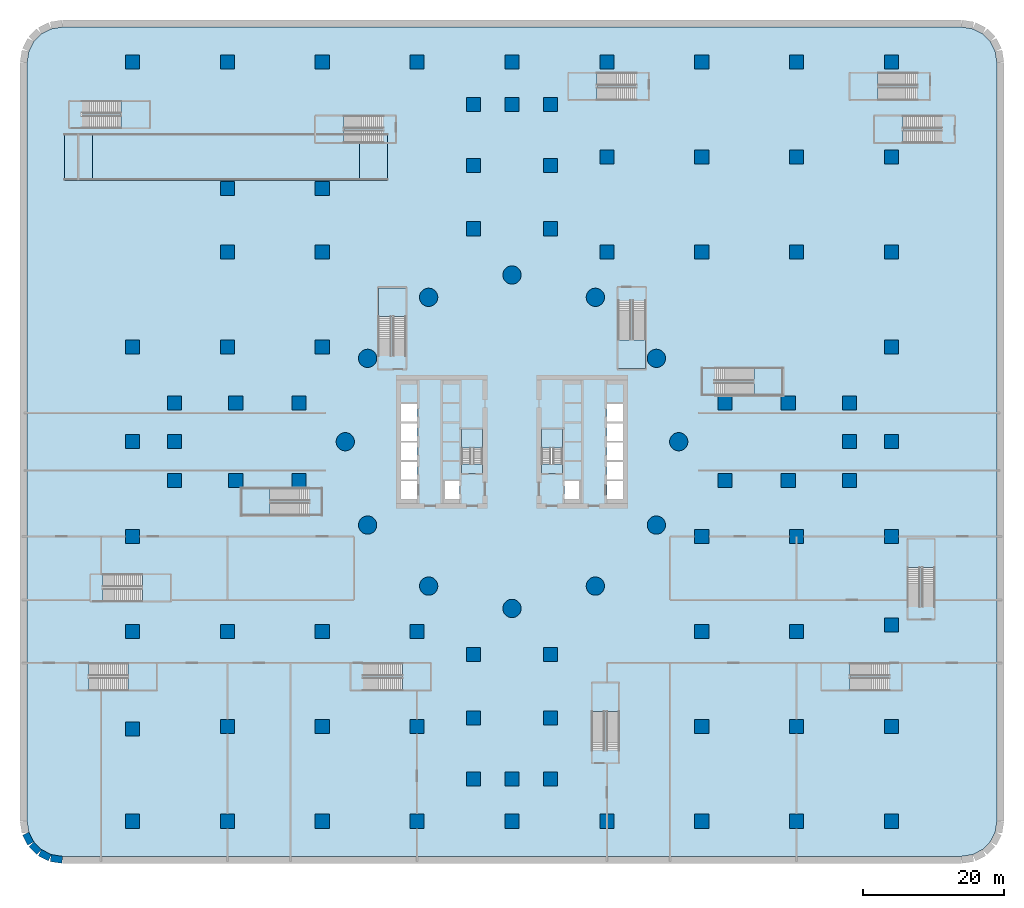
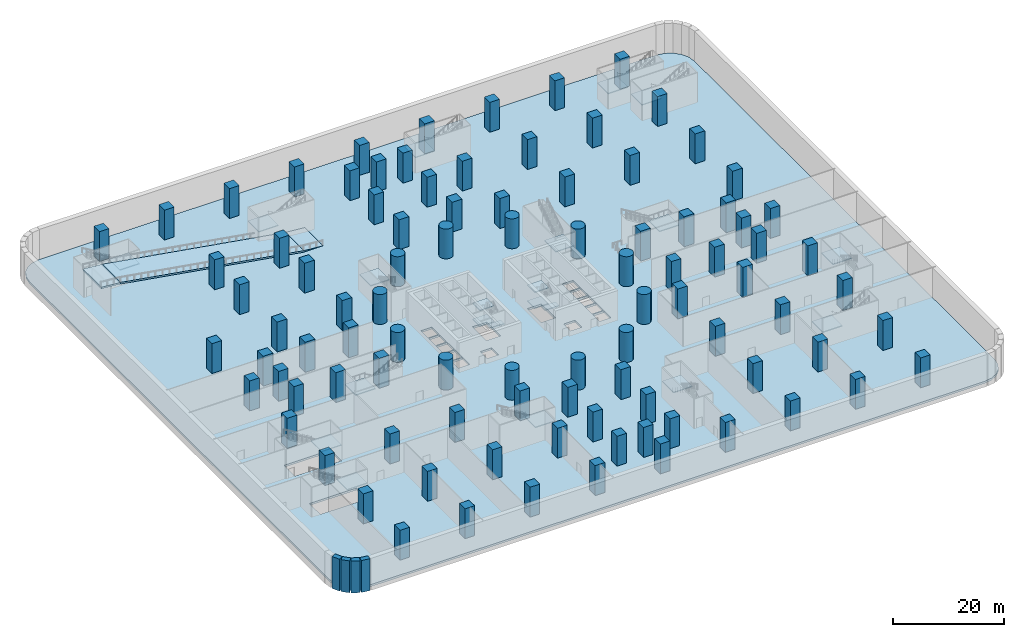
# One storey, part 1 of 30: 94 columns, 25 slabs, 4 walls, 17 elements without a shape of their own.
"""IFC4 building model written with IfcOpenShell, lengths in metres."""

from ifc_helpers import new_model, si_unit, direction, frame, frame_2d, origin, origin_2d, place, context, subcontext, project, spatial, polyline, rectangle, circle, outline, extrude, material, layer, layer_set, material_profile, profile_set, type_object, element, aggregate, save


model = new_model("IFC4")

# Units and contexts
model_context = context("Model", 3, precision=1e-05, world=origin(), true_north=direction((0.0, 1.0)))
body_context = subcontext(model_context, "Body", "Model", "MODEL_VIEW")
ifc_project = project(units=[si_unit("LENGTHUNIT", "METRE"), si_unit("AREAUNIT", "SQUARE_METRE"), si_unit("VOLUMEUNIT", "CUBIC_METRE"), si_unit("PLANEANGLEUNIT", "RADIAN"), si_unit("MASSUNIT", "GRAM", prefix="KILO")], contexts=[model_context])

# Site, building, storey
site_placement = place(None, origin())
site = spatial("IfcSite", under=ifc_project, at=site_placement, CompositionType="ELEMENT")
building_placement = place(site_placement, origin())
building = spatial("IfcBuilding", under=site, at=building_placement, Name="Tamarind Cross Interchange Tower", CompositionType="ELEMENT")
storey_placement = place(building_placement, frame((0.0, 0.0, -14.0)))
storey = spatial("IfcBuildingStorey", under=building, at=storey_placement, Name="B2", CompositionType="ELEMENT", Elevation=-14.0)

# Columns
ifc_material_1 = material(Name="Concrete C70", Category="concrete")
ifc_material_profile_1 = material_profile(ifc_material_1, rectangle(XDim=2.0, YDim=2.0, at=origin_2d()), Name="RC 2000x2000")
ifc_profile_set_1 = profile_set([ifc_material_profile_1], Name="Concrete C70")
column_type_1 = type_object("IfcColumnType", Name="Column RC 2000x2000 Concrete C70", PredefinedType="COLUMN", material=ifc_profile_set_1)
for number, where, z_axis, x_axis, name in (
    (1, (39.300048828125, 5.5, -0.449951171875), (0.0, 0.0, 1.0), (1.0, 0.0, 0.0), "Column E.ep0"),
    (2, (39.300048828125, -5.5, -0.449951171875), (0.0, 0.0, 1.0), (1.0, 0.0, 0.0), "Column E.em0"),
    (3, (30.300048828125, 5.5, -0.449951171875), (0.0, 0.0, 1.0), (1.0, 0.0, 0.0), "Column E.ep1"),
    (4, (30.300048828125, -5.5, -0.449951171875), (0.0, 0.0, 1.0), (1.0, 0.0, 0.0), "Column E.em1"),
    (5, (48.007568359375, -5.5, -0.449951171875), (0.0, 0.0, 1.0), (1.0, 0.0, 0.0), "Column E.t0"),
    (6, (48.007568359375, 0.0, -0.449951171875), (0.0, 0.0, 1.0), (1.0, 0.0, 0.0), "Column E.t1"),
    (7, (48.007568359375, 5.5, -0.449951171875), (0.0, 0.0, 1.0), (1.0, 0.0, 0.0), "Column E.t2"),
    (8, (-5.5, 39.300048828125, -0.449951171875), (0.0, 0.0, 1.0), (1.0, 0.0, 0.0), "Column N.ep0"),
    (9, (5.5, 39.300048828125, -0.449951171875), (0.0, 0.0, 1.0), (1.0, 0.0, 0.0), "Column N.em0"),
    (10, (-5.5, 30.300048828125, -0.449951171875), (0.0, 0.0, 1.0), (1.0, 0.0, 0.0), "Column N.ep1"),
    (11, (5.5, 30.300048828125, -0.449951171875), (0.0, 0.0, 1.0), (1.0, 0.0, 0.0), "Column N.em1"),
    (12, (5.5, 48.007568359375, -0.449951171875), (0.0, 0.0, 1.0), (1.0, 0.0, 0.0), "Column N.t0"),
    (13, (0.0, 48.007568359375, -0.449951171875), (0.0, 0.0, 1.0), (1.0, 0.0, 0.0), "Column N.t1"),
    (14, (-5.5, 48.007568359375, -0.449951171875), (0.0, 0.0, 1.0), (1.0, 0.0, 0.0), "Column N.t2"),
    (15, (-39.300048828125, -5.5, -0.449951171875), (0.0, 0.0, 1.0), (1.0, 0.0, 0.0), "Column W.ep0"),
    (16, (-39.300048828125, 5.5, -0.449951171875), (0.0, 0.0, 1.0), (1.0, 0.0, 0.0), "Column W.em0"),
    (17, (-30.300048828125, -5.5, -0.449951171875), (0.0, 0.0, 1.0), (1.0, 0.0, 0.0), "Column W.ep1"),
    (18, (-30.300048828125, 5.5, -0.449951171875), (0.0, 0.0, 1.0), (1.0, 0.0, 0.0), "Column W.em1"),
    (19, (-48.007568359375, 5.5, -0.449951171875), (0.0, 0.0, 1.0), (1.0, 0.0, 0.0), "Column W.t0"),
    (20, (-48.007568359375, 0.0, -0.449951171875), (0.0, 0.0, 1.0), (1.0, 0.0, 0.0), "Column W.t1"),
    (21, (-48.007568359375, -5.5, -0.449951171875), (0.0, 0.0, 1.0), (1.0, 0.0, 0.0), "Column W.t2"),
    (22, (5.5, -39.300048828125, -0.449951171875), (0.0, 0.0, 1.0), (1.0, 0.0, 0.0), "Column S.ep0"),
    (23, (-5.5, -39.300048828125, -0.449951171875), (0.0, 0.0, 1.0), (1.0, 0.0, 0.0), "Column S.em0"),
    (24, (5.5, -30.300048828125, -0.449951171875), (0.0, 0.0, 1.0), (1.0, 0.0, 0.0), "Column S.ep1"),
    (25, (-5.5, -30.300048828125, -0.449951171875), (0.0, 0.0, 1.0), (1.0, 0.0, 0.0), "Column S.em1"),
    (26, (-5.5, -48.007568359375, -0.449951171875), (0.0, 0.0, 1.0), (1.0, 0.0, 0.0), "Column S.t0"),
    (27, (0.0, -48.007568359375, -0.449951171875), (0.0, 0.0, 1.0), (1.0, 0.0, 0.0), "Column S.t1"),
    (28, (5.5, -48.007568359375, -0.449951171875), (0.0, 0.0, 1.0), (1.0, 0.0, 0.0), "Column S.t2"),
    (29, (-54.0, -54.0, -0.449951171875), (0.0, 0.0, 1.0), (1.0, 0.0, 0.0), "Column G01"),
    (30, (-54.0, -40.85009765625, -0.449951171875), (0.0, 0.0, 1.0), (1.0, 0.0, 0.0), "Column G02"),
    (31, (-54.0, -27.0, -0.449951171875), (0.0, 0.0, 1.0), (1.0, 0.0, 0.0), "Column G03"),
    (32, (-54.0, -13.5, -0.449951171875), (0.0, 0.0, 1.0), (1.0, 0.0, 0.0), "Column G04"),
    (33, (-54.0, 0.0, -0.449951171875), (0.0, 0.0, 1.0), (1.0, 0.0, 0.0), "Column G05"),
    (34, (-54.0, 13.5, -0.449951171875), (0.0, 0.0, 1.0), (1.0, 0.0, 0.0), "Column G06"),
    (35, (-54.0, 54.0, -0.449951171875), (0.0, 0.0, 1.0), (1.0, 0.0, 0.0), "Column G07"),
    (36, (-40.5, -54.0, -0.449951171875), (0.0, 0.0, 1.0), (1.0, 0.0, 0.0), "Column G08"),
    (37, (-40.5, -40.5, -0.449951171875), (0.0, 0.0, 1.0), (1.0, 0.0, 0.0), "Column G09"),
    (38, (-40.5, -27.0, -0.449951171875), (0.0, 0.0, 1.0), (1.0, 0.0, 0.0), "Column G10"),
    (39, (-40.5, 13.5, -0.449951171875), (0.0, 0.0, 1.0), (1.0, 0.0, 0.0), "Column G11"),
    (40, (-40.5, 27.0, -0.449951171875), (0.0, 0.0, 1.0), (1.0, 0.0, 0.0), "Column G12"),
    (41, (-40.5, 36.0, -0.449951171875), (0.0, 0.0, 1.0), (1.0, 0.0, 0.0), "Column G13"),
    (42, (-40.5, 54.0, -0.449951171875), (0.0, 0.0, 1.0), (1.0, 0.0, 0.0), "Column G14"),
    (43, (-27.0, -54.0, -0.449951171875), (0.0, 0.0, 1.0), (1.0, 0.0, 0.0), "Column G15"),
    (44, (-27.0, -40.5, -0.449951171875), (0.0, 0.0, 1.0), (1.0, 0.0, 0.0), "Column G16"),
    (45, (-27.0, -27.0, -0.449951171875), (0.0, 0.0, 1.0), (1.0, 0.0, 0.0), "Column G17"),
    (46, (-27.0, 13.5, -0.449951171875), (0.0, 0.0, 1.0), (1.0, 0.0, 0.0), "Column G18"),
    (47, (-27.0, 27.0, -0.449951171875), (0.0, 0.0, 1.0), (1.0, 0.0, 0.0), "Column G19"),
    (48, (-27.0, 36.0, -0.449951171875), (0.0, 0.0, 1.0), (1.0, 0.0, 0.0), "Column G20"),
    (49, (-27.0, 54.0, -0.449951171875), (0.0, 0.0, 1.0), (1.0, 0.0, 0.0), "Column G21"),
    (50, (-13.5, -54.0, -0.449951171875), (0.0, 0.0, 1.0), (1.0, 0.0, 0.0), "Column G22"),
    (51, (-13.5, -40.5, -0.449951171875), (0.0, 0.0, 1.0), (1.0, 0.0, 0.0), "Column G23"),
    (52, (-13.5, -27.0, -0.449951171875), (0.0, 0.0, 1.0), (1.0, 0.0, 0.0), "Column G24"),
    (53, (-13.5, 54.0, -0.449951171875), (0.0, 0.0, 1.0), (1.0, 0.0, 0.0), "Column G25"),
    (54, (0.0, -54.0, -0.449951171875), (0.0, 0.0, 1.0), (1.0, 0.0, 0.0), "Column G26"),
    (55, (0.0, 54.0, -0.449951171875), (0.0, 0.0, 1.0), (1.0, 0.0, 0.0), "Column G27"),
    (56, (13.5, -54.0, -0.449951171875), (0.0, 0.0, 1.0), (1.0, 0.0, 0.0), "Column G28"),
    (57, (13.5, 27.0, -0.449951171875), (0.0, 0.0, 1.0), (1.0, 0.0, 0.0), "Column G29"),
    (58, (13.5, 40.5, -0.449951171875), (0.0, 0.0, 1.0), (1.0, 0.0, 0.0), "Column G30"),
    (59, (13.5, 54.0, -0.449951171875), (0.0, 0.0, 1.0), (1.0, 0.0, 0.0), "Column G31"),
    (60, (27.0, -54.0, -0.449951171875), (0.0, 0.0, 1.0), (1.0, 0.0, 0.0), "Column G32"),
    (61, (27.0, -40.5, -0.449951171875), (0.0, 0.0, 1.0), (1.0, 0.0, 0.0), "Column G33"),
    (62, (27.0, -27.0, -0.449951171875), (0.0, 0.0, 1.0), (1.0, 0.0, 0.0), "Column G34"),
    (63, (27.0, -13.5, -0.449951171875), (0.0, 0.0, 1.0), (1.0, 0.0, 0.0), "Column G35"),
    (64, (27.0, 27.0, -0.449951171875), (0.0, 0.0, 1.0), (1.0, 0.0, 0.0), "Column G36"),
    (65, (27.0, 40.5, -0.449951171875), (0.0, 0.0, 1.0), (1.0, 0.0, 0.0), "Column G37"),
    (66, (27.0, 54.0, -0.449951171875), (0.0, 0.0, 1.0), (1.0, 0.0, 0.0), "Column G38"),
    (67, (40.5, -54.0, -0.449951171875), (0.0, 0.0, 1.0), (1.0, 0.0, 0.0), "Column G39"),
    (68, (40.5, -40.5, -0.449951171875), (0.0, 0.0, 1.0), (1.0, 0.0, 0.0), "Column G40"),
    (69, (40.5, -27.0, -0.449951171875), (0.0, 0.0, 1.0), (1.0, 0.0, 0.0), "Column G41"),
    (70, (40.5, -13.5, -0.449951171875), (0.0, 0.0, 1.0), (1.0, 0.0, 0.0), "Column G42"),
    (71, (40.5, 27.0, -0.449951171875), (0.0, 0.0, 1.0), (1.0, 0.0, 0.0), "Column G43"),
    (72, (40.5, 40.5, -0.449951171875), (0.0, 0.0, 1.0), (1.0, 0.0, 0.0), "Column G44"),
    (73, (40.5, 54.0, -0.449951171875), (0.0, 0.0, 1.0), (1.0, 0.0, 0.0), "Column G45"),
    (74, (54.0, -54.0, -0.449951171875), (0.0, 0.0, 1.0), (1.0, 0.0, 0.0), "Column G46"),
    (75, (54.0, -40.5, -0.449951171875), (0.0, 0.0, 1.0), (1.0, 0.0, 0.0), "Column G47"),
    (76, (54.0, -26.050048828125, -0.449951171875), (0.0, 0.0, 1.0), (1.0, 0.0, 0.0), "Column G48"),
    (77, (54.0, -13.5, -0.449951171875), (0.0, 0.0, 1.0), (1.0, 0.0, 0.0), "Column G49"),
    (78, (54.0, 0.0, -0.449951171875), (0.0, 0.0, 1.0), (1.0, 0.0, 0.0), "Column G50"),
    (79, (54.0, 13.5, -0.449951171875), (0.0, 0.0, 1.0), (1.0, 0.0, 0.0), "Column G51"),
    (80, (54.0, 27.0, -0.449951171875), (0.0, 0.0, 1.0), (1.0, 0.0, 0.0), "Column G52"),
    (81, (54.0, 40.5, -0.449951171875), (0.0, 0.0, 1.0), (1.0, 0.0, 0.0), "Column G53"),
    (82, (54.0, 54.0, -0.449951171875), (0.0, 0.0, 1.0), (1.0, 0.0, 0.0), "Column G54"),
):
    element("IfcColumn", number, at=place(storey_placement, frame(where, z_axis=z_axis, x_axis=x_axis)), inside=storey, type_object=column_type_1, Name=name, PredefinedType="COLUMN", context=body_context, shape_type="SweptSolid", body=[
        extrude(rectangle(XDim=2.0, YDim=2.0, at=origin_2d()), origin(), (0.0, 0.0, 1.0), 7.0),
    ])
ifc_material_2 = material(Name="Concrete C80", Category="concrete")
ifc_material_profile_2 = material_profile(ifc_material_2, circle(Radius=1.300048828125, at=origin_2d()), Name="RC D2600")
ifc_profile_set_2 = profile_set([ifc_material_profile_2], Name="Concrete C80")
column_type_2 = type_object("IfcColumnType", Name="Column RC D2600 Concrete C80", PredefinedType="COLUMN", material=ifc_profile_set_2)
for number, where, z_axis, x_axis, name in (
    (83, (23.720703125, 0.0, -0.449951171875), (0.0, 0.0, 1.0), (1.0, 0.0, 0.0), "Ring column R01"),
    (84, (20.542724609375, 11.8603515625, -0.449951171875), (0.0, 0.0, 1.0), (1.0, 0.0, 0.0), "Ring column R02"),
    (85, (11.8603515625, 20.542724609375, -0.449951171875), (0.0, 0.0, 1.0), (1.0, 0.0, 0.0), "Ring column R03"),
    (86, (0.0, 23.720703125, -0.449951171875), (0.0, 0.0, 1.0), (1.0, 0.0, 0.0), "Ring column R04"),
    (87, (-11.8603515625, 20.542724609375, -0.449951171875), (0.0, 0.0, 1.0), (1.0, 0.0, 0.0), "Ring column R05"),
    (88, (-20.542724609375, 11.8603515625, -0.449951171875), (0.0, 0.0, 1.0), (1.0, 0.0, 0.0), "Ring column R06"),
    (89, (-23.720703125, 0.0, -0.449951171875), (0.0, 0.0, 1.0), (1.0, 0.0, 0.0), "Ring column R07"),
    (90, (-20.542724609375, -11.8603515625, -0.449951171875), (0.0, 0.0, 1.0), (1.0, 0.0, 0.0), "Ring column R08"),
    (91, (-11.8603515625, -20.542724609375, -0.449951171875), (0.0, 0.0, 1.0), (1.0, 0.0, 0.0), "Ring column R09"),
    (92, (0.0, -23.720703125, -0.449951171875), (0.0, 0.0, 1.0), (1.0, 0.0, 0.0), "Ring column R10"),
    (93, (11.8603515625, -20.542724609375, -0.449951171875), (0.0, 0.0, 1.0), (1.0, 0.0, 0.0), "Ring column R11"),
    (94, (20.542724609375, -11.8603515625, -0.449951171875), (0.0, 0.0, 1.0), (1.0, 0.0, 0.0), "Ring column R12"),
):
    element("IfcColumn", number, at=place(storey_placement, frame(where, z_axis=z_axis, x_axis=x_axis)), inside=storey, type_object=column_type_2, Name=name, PredefinedType="COLUMN", context=body_context, shape_type="SweptSolid", body=[
        extrude(circle(Radius=1.300048828125, at=origin_2d()), origin(), (0.0, 0.0, 1.0), 7.0),
    ])

# Slabs
ifc_material_3 = material(Name="Concrete C40/50", Category="concrete")
ifc_layer_1 = layer(ifc_material_3, 0.35009765625)
ifc_layer_set_1 = layer_set([ifc_layer_1], Name="Concrete C40/50")
slab_type_1 = type_object("IfcSlabType", Name="Car park ramp slab", PredefinedType="LANDING", material=ifc_layer_set_1)
slab_1_placement = place(storey_placement, frame((-17.699951171875, 40.5, 0.0), z_axis=(0.0, 0.0, 1.0), x_axis=(-1.0, 0.0, 0.0)))
element("IfcSlab", 95, at=slab_1_placement, inside=storey, type_object=slab_type_1, Name="Car park ramp RB slab 1", PredefinedType="LANDING", context=body_context, shape_type="SweptSolid", body=[
    extrude(outline(polyline([(0.0, 0.0), (4.0, 0.0), (4.0, 0.333251953125), (0.0, 0.0), (0.0, 0.0)])), frame((0.0, 3.300048828125, 0.0), z_axis=(0.0, -1.0, 0.0), x_axis=(1.0, 0.0, 0.0)), (0.0, 0.0, 1.0), 6.60009765625),
])
slab_2_placement = place(storey_placement, frame((-21.699951171875, 40.5, 0.0), z_axis=(0.0, 0.0, 1.0), x_axis=(-1.0, 0.0, 0.0)))
element("IfcSlab", 96, at=slab_2_placement, inside=storey, type_object=slab_type_1, Name="Car park ramp RB slab 2", PredefinedType="LANDING", context=body_context, shape_type="SweptSolid", body=[
    extrude(outline(polyline([(0.0, 0.0), (0.10009765625, 0.0), (38.0, 6.316650390625), (38.0, 6.666748046875), (0.0, 0.333251953125), (0.0, 0.0)])), frame((0.0, 3.300048828125, 0.0), z_axis=(0.0, -1.0, 0.0), x_axis=(1.0, 0.0, 0.0)), (0.0, 0.0, 1.0), 6.60009765625),
])
slab_3_placement = place(storey_placement, frame((-59.699951171875, 40.5, 0.0), z_axis=(0.0, 0.0, 1.0), x_axis=(-1.0, 0.0, 0.0)))
element("IfcSlab", 97, at=slab_3_placement, inside=storey, type_object=slab_type_1, Name="Car park ramp RB slab 3", PredefinedType="LANDING", context=body_context, shape_type="SweptSolid", body=[
    extrude(outline(polyline([(0.0, 6.316650390625), (4.0, 6.64990234375), (4.0, 7.0), (0.0, 6.666748046875), (0.0, 6.316650390625)])), frame((0.0, 3.300048828125, 0.0), z_axis=(0.0, -1.0, 0.0), x_axis=(1.0, 0.0, 0.0)), (0.0, 0.0, 1.0), 6.60009765625),
])
ifc_material_4 = material(Name="Concrete C40", Category="concrete")
ifc_layer_2 = layer(ifc_material_4, 0.449951171875)
ifc_layer_set_2 = layer_set([ifc_layer_2], Name="Concrete C40")
slab_type_2 = type_object("IfcSlabType", Name="Post-tensioned flat slab 450 Concrete C40", PredefinedType="FLOOR", material=ifc_layer_set_2)
slab_4_placement = place(storey_placement, frame((0.0, 0.0, -0.449951171875)))
element("IfcSlab", 98, at=slab_4_placement, inside=storey, type_object=slab_type_2, Name="Floor slab B2", PredefinedType="FLOOR", context=body_context, shape_type="SweptSolid", body=[
    extrude(outline(polyline([(-65.541259765625, -58.743408203125), (-63.92138671875, -59.0), (63.92138671875, -59.0), (65.541259765625, -58.743408203125), (66.931640625, -58.034912109375), (68.034912109375, -56.931640625), (68.743408203125, -55.541259765625), (69.0, -53.92138671875), (69.0, 53.92138671875), (68.743408203125, 55.541259765625), (68.034912109375, 56.931640625), (66.931640625, 58.034912109375), (65.541259765625, 58.743408203125), (63.92138671875, 59.0), (-63.92138671875, 59.0), (-65.541259765625, 58.743408203125), (-66.931640625, 58.034912109375), (-68.034912109375, 56.931640625), (-68.743408203125, 55.541259765625), (-69.0, 53.92138671875), (-69.0, -53.92138671875), (-68.743408203125, -55.541259765625), (-68.034912109375, -56.931640625), (-66.931640625, -58.034912109375), (-65.541259765625, -58.743408203125)]), holes=[polyline([(-50.5, -31.5), (-50.5, -35.39990234375), (-60.18798828125, -35.39990234375), (-60.18798828125, -31.5), (-50.5, -31.5)]), polyline([(-48.5, -18.85009765625), (-48.5, -22.75), (-58.18798828125, -22.75), (-58.18798828125, -18.85009765625), (-48.5, -18.85009765625)]), polyline([(-13.5, -5.625), (-13.5, -8.125), (-15.800048828125, -8.125), (-15.800048828125, -5.625), (-13.5, -5.625)]), polyline([(-7.5, -5.625), (-7.5, -8.125), (-9.800048828125, -8.125), (-9.800048828125, -5.625), (-7.5, -5.625)]), polyline([(-13.5, -2.875), (-13.5, -5.375), (-15.800048828125, -5.375), (-15.800048828125, -2.875), (-13.5, -2.875)]), polyline([(-13.5, -0.125), (-13.5, -2.625), (-15.800048828125, -2.625), (-15.800048828125, -0.125), (-13.5, -0.125)]), polyline([(-13.5, 2.625), (-13.5, 0.125), (-15.800048828125, 0.125), (-15.800048828125, 2.625), (-13.5, 2.625)]), polyline([(-13.5, 5.375), (-13.5, 2.875), (-15.800048828125, 2.875), (-15.800048828125, 5.375), (-13.5, 5.375)]), polyline([(7.5, -8.125), (7.5, -5.625), (9.800048828125, -5.625), (9.800048828125, -8.125), (7.5, -8.125)]), polyline([(13.5, -8.125), (13.5, -5.625), (15.800048828125, -5.625), (15.800048828125, -8.125), (13.5, -8.125)]), polyline([(13.5, -5.375), (13.5, -2.875), (15.800048828125, -2.875), (15.800048828125, -5.375), (13.5, -5.375)]), polyline([(13.5, -2.625), (13.5, -0.125), (15.800048828125, -0.125), (15.800048828125, -2.625), (13.5, -2.625)]), polyline([(-7.14990234375, 1.800048828125), (-4.199951171875, 1.800048828125), (-4.199951171875, -3.18798828125), (-7.14990234375, -3.18798828125), (-7.14990234375, 1.800048828125)]), polyline([(4.199951171875, 1.800048828125), (7.14990234375, 1.800048828125), (7.14990234375, -3.18798828125), (4.199951171875, -3.18798828125), (4.199951171875, 1.800048828125)]), polyline([(13.5, 0.125), (13.5, 2.625), (15.800048828125, 2.625), (15.800048828125, 0.125), (13.5, 0.125)]), polyline([(13.5, 2.875), (13.5, 5.375), (15.800048828125, 5.375), (15.800048828125, 2.875), (13.5, 2.875)])]), origin(), (0.0, 0.0, 1.0), 0.449951171875),
])

# Stair, slab
ifc_material_5 = material(Name="Public stair")
stair_type_1 = type_object("IfcStairType", Name="Public stair", PredefinedType="HALF_TURN_STAIR", material=ifc_material_5)
stair_1_placement = place(storey_placement, origin())
stair_1 = element("IfcStair", 99, at=stair_1_placement, inside=storey, type_object=stair_type_1, Name="B2 public stair MS-E", PredefinedType="HALF_TURN_STAIR")
ifc_layer_3 = layer(ifc_material_4, 0.199951171875)
ifc_layer_set_3 = layer_set([ifc_layer_3], Name="Concrete C40")
slab_type_3 = type_object("IfcSlabType", Name="Public stair landing", PredefinedType="LANDING", material=ifc_layer_set_3)
slab_5_placement = place(storey_placement, frame((0.0, 0.0, 3.300048828125)))
slab_5 = element("IfcSlab", 100, at=slab_5_placement, type_object=slab_type_3, Name="MS-E landing 1", PredefinedType="LANDING", context=body_context, shape_type="SweptSolid", body=[
    extrude(outline(polyline([(34.39990234375, 6.60009765625), (38.5, 6.60009765625), (38.5, 10.5), (34.39990234375, 10.5), (34.39990234375, 6.60009765625)])), origin(), (0.0, 0.0, 1.0), 0.199951171875),
])
aggregate(stair_1, [slab_5])

stair_2_placement = place(storey_placement, origin())
stair_2 = element("IfcStair", 101, at=stair_2_placement, inside=storey, type_object=stair_type_1, Name="B2 public stair MS-W", PredefinedType="HALF_TURN_STAIR")
slab_6_placement = place(storey_placement, frame((0.0, 0.0, 3.300048828125)))
slab_6 = element("IfcSlab", 102, at=slab_6_placement, type_object=slab_type_3, Name="MS-W landing 1", PredefinedType="LANDING", context=body_context, shape_type="SweptSolid", body=[
    extrude(outline(polyline([(-34.39990234375, -6.60009765625), (-38.5, -6.60009765625), (-38.5, -10.5), (-34.39990234375, -10.5), (-34.39990234375, -6.60009765625)])), origin(), (0.0, 0.0, 1.0), 0.199951171875),
])
aggregate(stair_2, [slab_6])

stair_3_placement = place(storey_placement, origin())
stair_3 = element("IfcStair", 103, at=stair_3_placement, inside=storey, type_object=stair_type_1, Name="B2 exit stair XS-W", PredefinedType="HALF_TURN_STAIR")
slab_7_placement = place(storey_placement, frame((0.0, 0.0, 3.300048828125)))
slab_7 = element("IfcSlab", 104, at=slab_7_placement, type_object=slab_type_3, Name="XS-W landing 1", PredefinedType="LANDING", context=body_context, shape_type="SweptSolid", body=[
    extrude(outline(polyline([(-15.10009765625, 17.800048828125), (-15.10009765625, 21.89990234375), (-19.0, 21.89990234375), (-19.0, 17.800048828125), (-15.10009765625, 17.800048828125)])), origin(), (0.0, 0.0, 1.0), 0.199951171875),
])
aggregate(stair_3, [slab_7])

stair_4_placement = place(storey_placement, origin())
stair_4 = element("IfcStair", 105, at=stair_4_placement, inside=storey, type_object=stair_type_1, Name="B2 exit stair XS-E", PredefinedType="HALF_TURN_STAIR")
slab_8_placement = place(storey_placement, frame((0.0, 0.0, 3.300048828125)))
slab_8 = element("IfcSlab", 106, at=slab_8_placement, type_object=slab_type_3, Name="XS-E landing 1", PredefinedType="LANDING", context=body_context, shape_type="SweptSolid", body=[
    extrude(outline(polyline([(15.10009765625, 14.5), (15.10009765625, 10.39990234375), (19.0, 10.39990234375), (19.0, 14.5), (15.10009765625, 14.5)])), origin(), (0.0, 0.0, 1.0), 0.199951171875),
])
aggregate(stair_4, [slab_8])

stair_5_placement = place(storey_placement, origin())
stair_5 = element("IfcStair", 107, at=stair_5_placement, inside=storey, type_object=stair_type_1, Name="B2 exit stair XS-P01", PredefinedType="HALF_TURN_STAIR")
slab_9_placement = place(storey_placement, frame((0.0, 0.0, 3.300048828125)))
slab_9 = element("IfcSlab", 108, at=slab_9_placement, type_object=slab_type_3, Name="XS-P01 landing 1", PredefinedType="LANDING", context=body_context, shape_type="SweptSolid", body=[
    extrude(outline(polyline([(52.10009765625, 52.5), (48.0, 52.5), (48.0, 48.60009765625), (52.10009765625, 48.60009765625), (52.10009765625, 52.5)])), origin(), (0.0, 0.0, 1.0), 0.199951171875),
])
aggregate(stair_5, [slab_9])

stair_6_placement = place(storey_placement, origin())
stair_6 = element("IfcStair", 109, at=stair_6_placement, inside=storey, type_object=stair_type_1, Name="B2 exit stair XS-P02", PredefinedType="HALF_TURN_STAIR")
slab_10_placement = place(storey_placement, frame((0.0, 0.0, 3.300048828125)))
slab_10 = element("IfcSlab", 110, at=slab_10_placement, type_object=slab_type_3, Name="XS-P02 landing 1", PredefinedType="LANDING", context=body_context, shape_type="SweptSolid", body=[
    extrude(outline(polyline([(55.60009765625, 46.39990234375), (51.5, 46.39990234375), (51.5, 42.5), (55.60009765625, 42.5), (55.60009765625, 46.39990234375)])), origin(), (0.0, 0.0, 1.0), 0.199951171875),
])
aggregate(stair_6, [slab_10])

stair_7_placement = place(storey_placement, origin())
stair_7 = element("IfcStair", 111, at=stair_7_placement, inside=storey, type_object=stair_type_1, Name="B2 exit stair XS-P03", PredefinedType="HALF_TURN_STAIR")
slab_11_placement = place(storey_placement, frame((0.0, 0.0, 3.300048828125)))
slab_11 = element("IfcSlab", 112, at=slab_11_placement, type_object=slab_type_3, Name="XS-P03 landing 1", PredefinedType="LANDING", context=body_context, shape_type="SweptSolid", body=[
    extrude(outline(polyline([(12.10009765625, 52.5), (8.0, 52.5), (8.0, 48.60009765625), (12.10009765625, 48.60009765625), (12.10009765625, 52.5)])), origin(), (0.0, 0.0, 1.0), 0.199951171875),
])
aggregate(stair_7, [slab_11])

stair_8_placement = place(storey_placement, origin())
stair_8 = element("IfcStair", 113, at=stair_8_placement, inside=storey, type_object=stair_type_1, Name="B2 exit stair XS-P05", PredefinedType="HALF_TURN_STAIR")
slab_12_placement = place(storey_placement, frame((0.0, 0.0, 3.300048828125)))
slab_12 = element("IfcSlab", 114, at=slab_12_placement, type_object=slab_type_3, Name="XS-P05 landing 1", PredefinedType="LANDING", context=body_context, shape_type="SweptSolid", body=[
    extrude(outline(polyline([(-55.60009765625, 44.60009765625), (-51.5, 44.60009765625), (-51.5, 48.5), (-55.60009765625, 48.5), (-55.60009765625, 44.60009765625)])), origin(), (0.0, 0.0, 1.0), 0.199951171875),
])
aggregate(stair_8, [slab_12])

stair_9_placement = place(storey_placement, origin())
stair_9 = element("IfcStair", 115, at=stair_9_placement, inside=storey, type_object=stair_type_1, Name="B2 exit stair XS-P06", PredefinedType="HALF_TURN_STAIR")
slab_13_placement = place(storey_placement, frame((0.0, 0.0, 3.300048828125)))
slab_13 = element("IfcSlab", 116, at=slab_13_placement, type_object=slab_type_3, Name="XS-P06 landing 1", PredefinedType="LANDING", context=body_context, shape_type="SweptSolid", body=[
    extrude(outline(polyline([(-23.89990234375, 46.39990234375), (-28.0, 46.39990234375), (-28.0, 42.5), (-23.89990234375, 42.5), (-23.89990234375, 46.39990234375)])), origin(), (0.0, 0.0, 1.0), 0.199951171875),
])
aggregate(stair_9, [slab_13])

stair_10_placement = place(storey_placement, origin())
stair_10 = element("IfcStair", 117, at=stair_10_placement, inside=storey, type_object=stair_type_1, Name="B2 exit stair XS-P07", PredefinedType="HALF_TURN_STAIR")
slab_14_placement = place(storey_placement, frame((0.0, 0.0, 3.300048828125)))
slab_14 = element("IfcSlab", 118, at=slab_14_placement, type_object=slab_type_3, Name="XS-P07 landing 1", PredefinedType="LANDING", context=body_context, shape_type="SweptSolid", body=[
    extrude(outline(polyline([(-54.60009765625, -35.39990234375), (-50.5, -35.39990234375), (-50.5, -31.5), (-54.60009765625, -31.5), (-54.60009765625, -35.39990234375)])), origin(), (0.0, 0.0, 1.0), 0.199951171875),
])
aggregate(stair_10, [slab_14])

stair_11_placement = place(storey_placement, origin())
stair_11 = element("IfcStair", 119, at=stair_11_placement, inside=storey, type_object=stair_type_1, Name="B2 exit stair XS-P08", PredefinedType="HALF_TURN_STAIR")
slab_15_placement = place(storey_placement, frame((0.0, 0.0, 3.300048828125)))
slab_15 = element("IfcSlab", 120, at=slab_15_placement, type_object=slab_type_3, Name="XS-P08 landing 1", PredefinedType="LANDING", context=body_context, shape_type="SweptSolid", body=[
    extrude(outline(polyline([(-52.60009765625, -22.75), (-48.5, -22.75), (-48.5, -18.85009765625), (-52.60009765625, -18.85009765625), (-52.60009765625, -22.75)])), origin(), (0.0, 0.0, 1.0), 0.199951171875),
])
aggregate(stair_11, [slab_15])

stair_12_placement = place(storey_placement, origin())
stair_12 = element("IfcStair", 121, at=stair_12_placement, inside=storey, type_object=stair_type_1, Name="B2 exit stair XS-P09", PredefinedType="HALF_TURN_STAIR")
slab_16_placement = place(storey_placement, frame((0.0, 0.0, 3.300048828125)))
slab_16 = element("IfcSlab", 122, at=slab_16_placement, type_object=slab_type_3, Name="XS-P09 landing 1", PredefinedType="LANDING", context=body_context, shape_type="SweptSolid", body=[
    extrude(outline(polyline([(-15.60009765625, -35.39990234375), (-11.5, -35.39990234375), (-11.5, -31.5), (-15.60009765625, -31.5), (-15.60009765625, -35.39990234375)])), origin(), (0.0, 0.0, 1.0), 0.199951171875),
])
aggregate(stair_12, [slab_16])

stair_13_placement = place(storey_placement, origin())
stair_13 = element("IfcStair", 123, at=stair_13_placement, inside=storey, type_object=stair_type_1, Name="B2 exit stair XS-P10", PredefinedType="HALF_TURN_STAIR")
slab_17_placement = place(storey_placement, frame((0.0, 0.0, 3.300048828125)))
slab_17 = element("IfcSlab", 124, at=slab_17_placement, type_object=slab_type_3, Name="XS-P10 landing 1", PredefinedType="LANDING", context=body_context, shape_type="SweptSolid", body=[
    extrude(outline(polyline([(48.10009765625, -31.5), (44.0, -31.5), (44.0, -35.39990234375), (48.10009765625, -35.39990234375), (48.10009765625, -31.5)])), origin(), (0.0, 0.0, 1.0), 0.199951171875),
])
aggregate(stair_13, [slab_17])

stair_14_placement = place(storey_placement, origin())
stair_14 = element("IfcStair", 125, at=stair_14_placement, inside=storey, type_object=stair_type_1, Name="B2 exit stair XS-P11", PredefinedType="HALF_TURN_STAIR")
slab_18_placement = place(storey_placement, frame((0.0, 0.0, 3.300048828125)))
slab_18 = element("IfcSlab", 126, at=slab_18_placement, type_object=slab_type_3, Name="XS-P11 landing 1", PredefinedType="LANDING", context=body_context, shape_type="SweptSolid", body=[
    extrude(outline(polyline([(60.14990234375, -17.89990234375), (60.14990234375, -13.800048828125), (56.25, -13.800048828125), (56.25, -17.89990234375), (60.14990234375, -17.89990234375)])), origin(), (0.0, 0.0, 1.0), 0.199951171875),
])
aggregate(stair_14, [slab_18])

stair_15_placement = place(storey_placement, origin())
stair_15 = element("IfcStair", 127, at=stair_15_placement, inside=storey, type_object=stair_type_1, Name="B2 exit stair XS-P12", PredefinedType="HALF_TURN_STAIR")
slab_19_placement = place(storey_placement, frame((0.0, 0.0, 3.300048828125)))
slab_19 = element("IfcSlab", 128, at=slab_19_placement, type_object=slab_type_3, Name="XS-P12 landing 1", PredefinedType="LANDING", context=body_context, shape_type="SweptSolid", body=[
    extrude(outline(polyline([(15.25, -38.35009765625), (15.25, -34.25), (11.35009765625, -34.25), (11.35009765625, -38.35009765625), (15.25, -38.35009765625)])), origin(), (0.0, 0.0, 1.0), 0.199951171875),
])
aggregate(stair_15, [slab_19])

# Stair, slabs
ifc_material_6 = material(Name="Exit stair")
stair_type_2 = type_object("IfcStairType", Name="Exit stair", PredefinedType="HALF_TURN_STAIR", material=ifc_material_6)
stair_16_placement = place(storey_placement, origin())
stair_16 = element("IfcStair", 129, at=stair_16_placement, inside=storey, type_object=stair_type_2, Name="B2 exit stair ST1", PredefinedType="HALF_TURN_STAIR")
ifc_layer_4 = layer(ifc_material_4, 0.199951171875)
ifc_layer_set_4 = layer_set([ifc_layer_4], Name="Concrete C40")
slab_type_4 = type_object("IfcSlabType", Name="Stair landing", PredefinedType="LANDING", material=ifc_layer_set_4)
slab_20_placement = place(storey_placement, frame((0.0, 0.0, 1.550048828125)))
slab_20 = element("IfcSlab", 130, at=slab_20_placement, type_object=slab_type_4, Name="ST1 landing 1", PredefinedType="LANDING", context=body_context, shape_type="SweptSolid", body=[
    extrude(outline(polyline([(-4.199951171875, -0.860107421875), (-4.199951171875, 1.800048828125), (-7.14990234375, 1.800048828125), (-7.14990234375, -0.860107421875), (-4.199951171875, -0.860107421875)])), origin(), (0.0, 0.0, 1.0), 0.199951171875),
])
slab_21_placement = place(storey_placement, frame((0.0, 0.0, 3.300048828125)))
slab_21 = element("IfcSlab", 131, at=slab_21_placement, type_object=slab_type_4, Name="ST1 landing 2", PredefinedType="LANDING", context=body_context, shape_type="SweptSolid", body=[
    extrude(outline(polyline([(-4.199951171875, -4.5), (-4.199951171875, -3.199951171875), (-7.14990234375, -3.199951171875), (-7.14990234375, -4.5), (-4.199951171875, -4.5)])), origin(), (0.0, 0.0, 1.0), 0.199951171875),
])
slab_22_placement = place(storey_placement, frame((0.0, 0.0, 5.050048828125)))
slab_22 = element("IfcSlab", 132, at=slab_22_placement, type_object=slab_type_4, Name="ST1 landing 3", PredefinedType="LANDING", context=body_context, shape_type="SweptSolid", body=[
    extrude(outline(polyline([(-4.199951171875, -0.860107421875), (-4.199951171875, 1.800048828125), (-7.14990234375, 1.800048828125), (-7.14990234375, -0.860107421875), (-4.199951171875, -0.860107421875)])), origin(), (0.0, 0.0, 1.0), 0.199951171875),
])
aggregate(stair_16, [slab_20, slab_21, slab_22])

stair_17_placement = place(storey_placement, origin())
stair_17 = element("IfcStair", 133, at=stair_17_placement, inside=storey, type_object=stair_type_2, Name="B2 exit stair ST2", PredefinedType="HALF_TURN_STAIR")
slab_23_placement = place(storey_placement, frame((0.0, 0.0, 1.550048828125)))
slab_23 = element("IfcSlab", 134, at=slab_23_placement, type_object=slab_type_4, Name="ST2 landing 1", PredefinedType="LANDING", context=body_context, shape_type="SweptSolid", body=[
    extrude(outline(polyline([(7.14990234375, -0.860107421875), (7.14990234375, 1.800048828125), (4.199951171875, 1.800048828125), (4.199951171875, -0.860107421875), (7.14990234375, -0.860107421875)])), origin(), (0.0, 0.0, 1.0), 0.199951171875),
])
slab_24_placement = place(storey_placement, frame((0.0, 0.0, 3.300048828125)))
slab_24 = element("IfcSlab", 135, at=slab_24_placement, type_object=slab_type_4, Name="ST2 landing 2", PredefinedType="LANDING", context=body_context, shape_type="SweptSolid", body=[
    extrude(outline(polyline([(7.14990234375, -4.5), (7.14990234375, -3.199951171875), (4.199951171875, -3.199951171875), (4.199951171875, -4.5), (7.14990234375, -4.5)])), origin(), (0.0, 0.0, 1.0), 0.199951171875),
])
slab_25_placement = place(storey_placement, frame((0.0, 0.0, 5.050048828125)))
slab_25 = element("IfcSlab", 136, at=slab_25_placement, type_object=slab_type_4, Name="ST2 landing 3", PredefinedType="LANDING", context=body_context, shape_type="SweptSolid", body=[
    extrude(outline(polyline([(7.14990234375, -0.860107421875), (7.14990234375, 1.800048828125), (4.199951171875, 1.800048828125), (4.199951171875, -0.860107421875), (7.14990234375, -0.860107421875)])), origin(), (0.0, 0.0, 1.0), 0.199951171875),
])
aggregate(stair_17, [slab_23, slab_24, slab_25])

# Walls
ifc_layer_5 = layer(ifc_material_4, 1.0)
ifc_layer_set_5 = layer_set([ifc_layer_5], Name="Concrete C40")
wall_type = type_object("IfcWallType", Name="Basement wall 1000 Concrete C40", PredefinedType="SOLIDWALL", material=ifc_layer_set_5)
wall_placement = place(storey_placement, frame((-63.989501953125, -59.495361328125, -0.449951171875), z_axis=(0.0, 0.0, 1.0), x_axis=(-0.987688946427, 0.156430639922, 0.0)))
element("IfcWall", 137, at=wall_placement, inside=storey, type_object=wall_type, Name="Basement wall B2-2", PredefinedType="SOLIDWALL", context=body_context, shape_type="SweptSolid", body=[
    extrude(rectangle(XDim=1.66064453125, YDim=1.0, at=frame_2d((0.830322265625, 0.0))), origin(), (0.0, 0.0, 1.0), 7.0),
])
for number, where, z_axis, x_axis, name in (
    (138, (-65.759033203125, -59.193603515625, -0.449951171875), (0.0, 0.0, 1.0), (-0.891004140764, 0.453995177443, 0.0), "Basement wall B2-3"),
    (139, (-67.27783203125, -58.395751953125, -0.449951171875), (0.0, 0.0, 1.0), (-0.707106781187, 0.707106781187, 0.0), "Basement wall B2-4"),
    (140, (-68.475830078125, -57.167724609375, -0.449951171875), (0.0, 0.0, 1.0), (-0.453995177443, 0.891004140764, 0.0), "Basement wall B2-5"),
):
    element("IfcWall", number, at=place(storey_placement, frame(where, z_axis=z_axis, x_axis=x_axis)), inside=storey, type_object=wall_type, Name=name, PredefinedType="SOLIDWALL", context=body_context, shape_type="SweptSolid", body=[
        extrude(rectangle(XDim=1.5810546875, YDim=1.0, at=frame_2d((0.79052734375, 0.0))), origin(), (0.0, 0.0, 1.0), 7.0),
    ])

save(model, "model.ifc")
